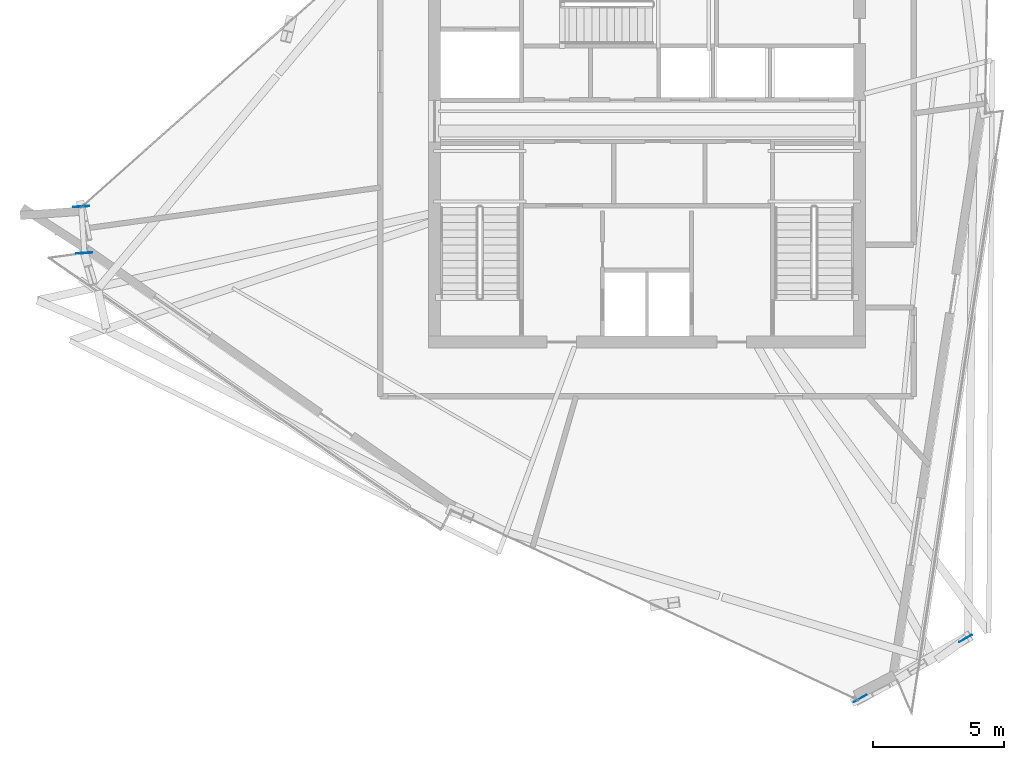
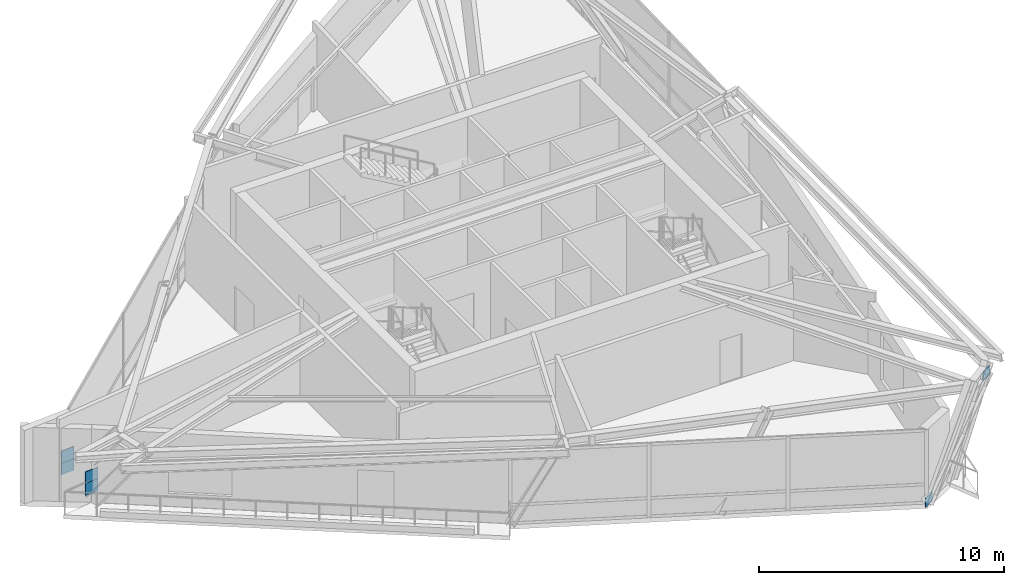
# One storey, part 15 of 22: 6 plates.
"""IFC4 building model written with IfcOpenShell, lengths in metres."""

from ifc_helpers import new_model, si_unit, direction, frame, origin, origin_2d, place, context, subcontext, project, spatial, rectangle, extrude, source, transform, mapped, material, type_object, element, save


model = new_model("IFC4")

# Units and contexts
model_context = context("Model", 3, precision=1e-05, world=origin(), true_north=direction((0.0, 1.0)))
body_context = subcontext(model_context, "Body", "Model", "MODEL_VIEW")
ifc_project = project(units=[si_unit("LENGTHUNIT", "METRE"), si_unit("AREAUNIT", "SQUARE_METRE"), si_unit("VOLUMEUNIT", "CUBIC_METRE"), si_unit("PLANEANGLEUNIT", "RADIAN"), si_unit("MASSUNIT", "GRAM", prefix="KILO")], contexts=[model_context])

# Site, building, storey
site_placement = place(None, origin())
site = spatial("IfcSite", under=ifc_project, at=site_placement, CompositionType="ELEMENT")
building_placement = place(site_placement, origin())
building = spatial("IfcBuilding", under=site, at=building_placement, Name="Olszyna Solenne Hotel", CompositionType="ELEMENT")
storey_placement = place(building_placement, frame((0.0, 0.0, 286.10009765625)))
storey = spatial("IfcBuildingStorey", under=building, at=storey_placement, Name="L76", CompositionType="ELEMENT", Elevation=286.10009765625)

# Plates
ifc_material_1 = material(Name="Steel S460M", Category="steel")
plate_type_1 = type_object("IfcPlateType", Name="GP-CAP2", PredefinedType="USERDEFINED", material=ifc_material_1)
shared_shape_1 = source(origin(), body_context, "Body", "SweptSolid", [
    extrude(rectangle(XDim=0.030029296875, YDim=0.6201171875, at=origin_2d()), origin(), (0.0, 0.0, 1.0), 0.6201171875),
])
for number, where, z_axis, x_axis, name in (
    (1, (16.367919921875, 24.456298828125, 1.039794921875), (0.0, 0.0, 1.0), (0.0662739004, -0.997801468292, 0.0), "Hollow section end-cap plate GP-CAP2 CP-PR-M-L76-PR1-1"),
    (2, (16.486083984375, 22.678466796875, 1.039794921875), (0.0, 0.0, 1.0), (0.0662739004, -0.997801468292, 0.0), "Hollow section end-cap plate GP-CAP2 CP-PR-M-L76-PR1-2"),
    (3, (16.367919921875, 24.456298828125, 0.4697265625), (0.0, 0.0, 1.0), (0.0662739004, -0.997801468292, 0.0), "Hollow section end-cap plate GP-CAP2 CP-PR-M-L76-PR2-1"),
    (4, (16.486083984375, 22.678466796875, 0.4697265625), (0.0, 0.0, 1.0), (0.0662739004, -0.997801468292, 0.0), "Hollow section end-cap plate GP-CAP2 CP-PR-M-L76-PR2-2"),
):
    element("IfcPlate", number, at=place(storey_placement, frame(where, z_axis=z_axis, x_axis=x_axis)), inside=storey, type_object=plate_type_1, Name=name, ObjectType="GUSSET_PLATE", PredefinedType="USERDEFINED", context=body_context, shape_type="MappedRepresentation", body=[
        mapped(shared_shape_1, transform((0.0, 0.0, 0.0), x_axis=(1.0, 0.0, 0.0), y_axis=(0.0, 1.0, 0.0), z_axis=(0.0, 0.0, 1.0), scale=1.0)),
    ])
ifc_material_2 = material(Name="Steel S355J2", Category="steel")
plate_type_2 = type_object("IfcPlateType", Name="GP-ND2", PredefinedType="USERDEFINED", material=ifc_material_2)
shared_shape_2 = source(origin(), body_context, "Body", "SweptSolid", [
    extrude(rectangle(XDim=0.56005859375, YDim=0.02001953125, at=origin_2d()), origin(), (0.0, 0.0, 1.0), 0.47998046875),
])
for number, where, z_axis, x_axis, name in (
    (5, (46.15087890625, 5.643798828125, -0.145751953125), (0.0, 0.0, 1.0), (0.868804409216, 0.495155428655, 0.0), "Brace end connection gusset plate GP-ND2 EP-BR-L76-3-1"),
    (6, (50.181884765625, 7.94189453125, 3.3544921875), (0.0, 0.0, 1.0), (0.868804409216, 0.495155428655, 0.0), "Brace end connection gusset plate GP-ND2 EP-BR-L76-3-2"),
):
    element("IfcPlate", number, at=place(storey_placement, frame(where, z_axis=z_axis, x_axis=x_axis)), inside=storey, type_object=plate_type_2, Name=name, ObjectType="GUSSET_PLATE", PredefinedType="USERDEFINED", context=body_context, shape_type="MappedRepresentation", body=[
        mapped(shared_shape_2, transform((0.0, 0.0, 0.0), x_axis=(1.0, 0.0, 0.0), y_axis=(0.0, 1.0, 0.0), z_axis=(0.0, 0.0, 1.0), scale=1.0)),
    ])

save(model, "model.ifc")
